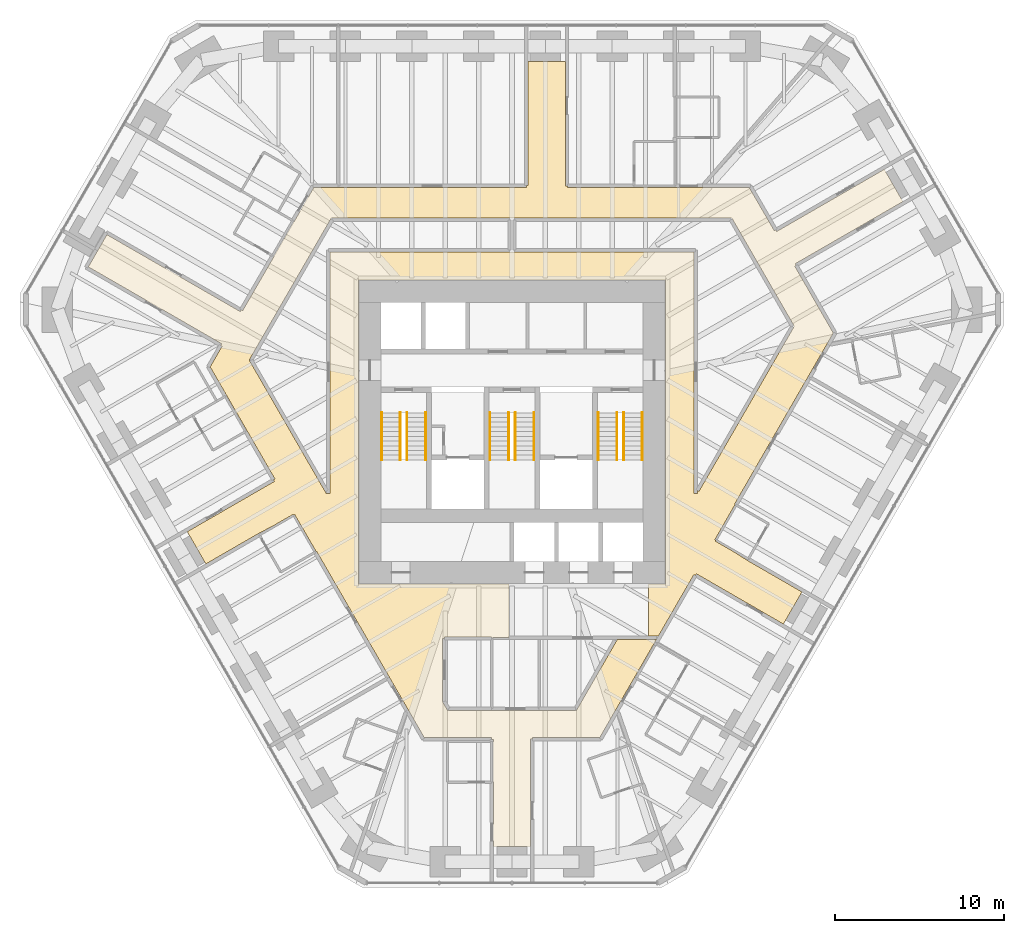
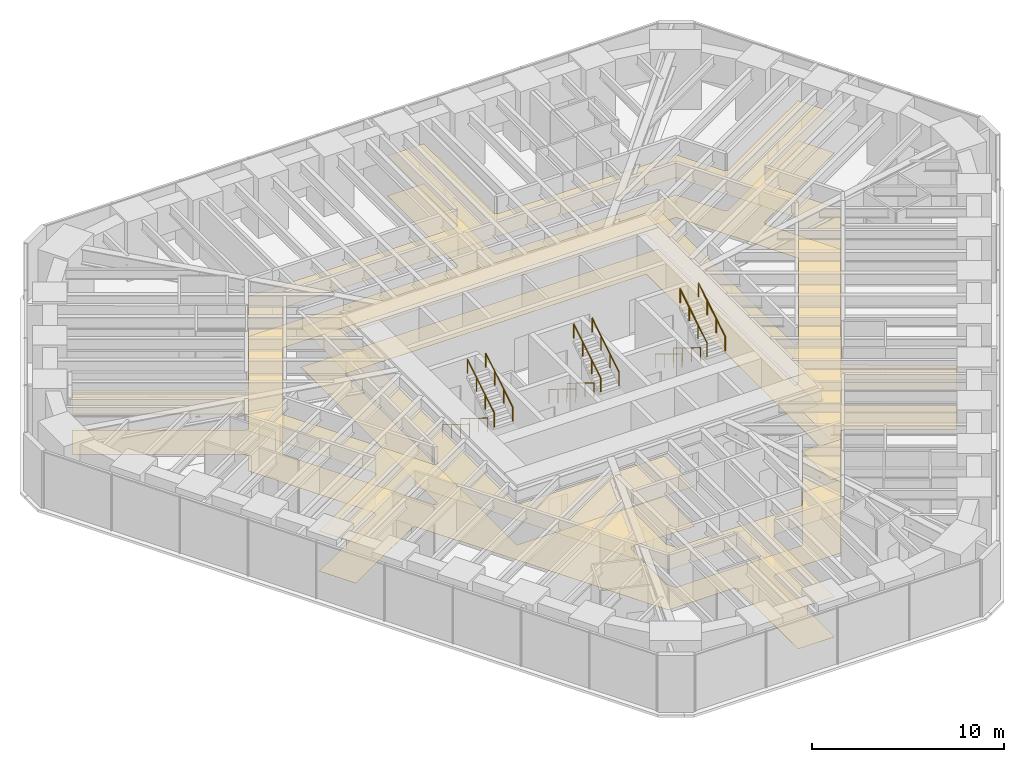
# One storey, part 16 of 16: 12 railings, 2 coverings.
"""IFC4 building model written with IfcOpenShell, lengths in metres."""

from ifc_helpers import new_model, si_unit, direction, frame, origin, origin_2d, place, context, subcontext, project, spatial, polyline, circle, outline, extrude, material, layer, layer_set, type_object, element, save


model = new_model("IFC4")

# Units and contexts
model_context = context("Model", 3, precision=1e-05, world=origin(), true_north=direction((0.0, 1.0)))
body_context = subcontext(model_context, "Body", "Model", "MODEL_VIEW")
ifc_project = project(units=[si_unit("LENGTHUNIT", "METRE"), si_unit("AREAUNIT", "SQUARE_METRE"), si_unit("VOLUMEUNIT", "CUBIC_METRE"), si_unit("PLANEANGLEUNIT", "RADIAN"), si_unit("MASSUNIT", "GRAM", prefix="KILO")], contexts=[model_context])

# Site, building, storey
site_placement = place(None, origin())
site = spatial("IfcSite", under=ifc_project, at=site_placement, CompositionType="ELEMENT")
building_placement = place(site_placement, origin())
building = spatial("IfcBuilding", under=site, at=building_placement, Name="Sandreach Pilgrim Tower", CompositionType="ELEMENT")
storey_placement = place(building_placement, frame((0.0, 0.0, 134.800048828125)))
storey = spatial("IfcBuildingStorey", under=building, at=storey_placement, Name="L33", CompositionType="ELEMENT", Elevation=134.800048828125)

# Coverings
ifc_material_1 = material(Name="Nylon carpet tile on the slab", Category="textile")
ifc_layer_1 = layer(ifc_material_1, 0.008056640625)
ifc_layer_set_1 = layer_set([ifc_layer_1], Name="Carpet tile")
covering_type_1 = type_object("IfcCoveringType", Name="Carpet tile", PredefinedType="FLOORING", material=ifc_layer_set_1)
covering_1_placement = place(storey_placement, origin())
element("IfcCovering", 1, at=covering_1_placement, inside=storey, type_object=covering_type_1, Name="Floor finish 33C Corridor 33", PredefinedType="FLOORING", context=body_context, shape_type="SweptSolid", body=[
    extrude(outline(polyline([(-18.0859375, -9.341796875), (-19.1865234375, -7.435791015625), (-14.0400390625, -4.466552734375), (-14.094970703125, -4.371337890625), (-14.00830078125, -4.3212890625), (-17.83447265625, 2.300048828125), (-17.130859375, 3.516845703125), (-17.216064453125, 3.566162109375), (-17.159912109375, 3.66650390625), (-25.033447265625, 8.20654296875), (-23.933349609375, 10.113525390625), (-16.06005859375, 5.573486328125), (-16.0029296875, 5.66748046875), (-15.91845703125, 5.618408203125), (-11.712158203125, 12.889892578125), (0.85009765625, 12.889892578125), (0.853515625, 13.0048828125), (0.949951171875, 13.0048828125), (0.949951171875, 20.333740234375), (3.14990234375, 20.333740234375), (3.14990234375, 12.989990234375), (3.264892578125, 12.989990234375), (3.264892578125, 12.889892578125), (14.0224609375, 12.889892578125), (15.49853515625, 10.348388671875), (15.58154296875, 10.396728515625), (15.639892578125, 10.303466796875), (21.99365234375, 13.970458984375), (23.09423828125, 12.06396484375), (16.739990234375, 8.396728515625), (16.794677734375, 8.29541015625), (16.710693359375, 8.2470703125), (18.984619140625, 4.2998046875), (13.1533203125, -5.81005859375), (13.181884765625, -5.826416015625), (11.988037109375, -7.909912109375), (12.03857421875, -7.9423828125), (12.010009765625, -7.991943359375), (13.140869140625, -8.645751953125), (13.909912109375, -9.136474609375), (17.13037109375, -10.996826171875), (16.0341796875, -12.8955078125), (10.89013671875, -9.92333984375), (10.83251953125, -10.02294921875), (10.745849609375, -9.972900390625), (8.6513671875, -13.60009765625), (8.050048828125, -13.60009765625), (8.050048828125, -10.52001953125), (9.070068359375, -10.52001953125), (9.070068359375, 7.419921875), (-9.070068359375, 7.419921875), (-9.070068359375, -10.52001953125), (-0.175048828125, -10.52001953125), (-0.175048828125, -13.68994140625), (-1.199951171875, -13.67919921875), (-1.199951171875, -13.64990234375), (-3.989990234375, -13.64990234375), (-3.989990234375, -13.75), (-4.10009765625, -13.75), (-4.10009765625, -17.487060546875), (-3.8076171875, -17.989990234375), (3.8076171875, -17.989990234375), (6.2265625, -13.800048828125), (8.535888671875, -13.800048828125), (5.192138671875, -19.590087890625), (1.215087890625, -19.590087890625), (1.215087890625, -19.68994140625), (1.10009765625, -19.68994140625), (1.10009765625, -26.0322265625), (-1.10009765625, -26.0322265625), (-1.10009765625, -19.699951171875), (-1.199951171875, -19.699951171875), (-1.199951171875, -19.590087890625), (-5.192138671875, -19.590087890625), (-11.54345703125, -8.599853515625), (-11.56884765625, -8.61474609375), (-12.837890625, -6.43017578125), (-12.891357421875, -6.4580078125), (-12.919921875, -6.407958984375), (-14.11767578125, -7.09814453125), (-14.969970703125, -7.54345703125), (-18.0859375, -9.341796875)]), holes=[polyline([(-15.525390625, 2.699951171875), (-10.965576171875, -5.18994140625), (-10.75, -5.18994140625), (-10.75, 9.10009765625), (10.75, 9.10009765625), (10.75, -5.18994140625), (10.949951171875, -5.18994140625), (10.949951171875, -4.99365234375), (11.046630859375, -5.049560546875), (16.675537109375, 4.699951171875), (12.98779296875, 11.090087890625), (-10.677734375, 11.090087890625), (-15.525390625, 2.699951171875)])]), origin(), (0.0, 0.0, 1.0), 0.008056640625),
])
ifc_material_2 = material(Name="Gypsum board suspended ceiling on a steel grid", Category="steel")
ifc_layer_2 = layer(ifc_material_2, 0.012939453125)
ifc_layer_set_2 = layer_set([ifc_layer_2], Name="Gypsum board suspended ceiling")
covering_type_2 = type_object("IfcCoveringType", Name="Gypsum board suspended ceiling", PredefinedType="CEILING", material=ifc_layer_set_2)
covering_2_placement = place(storey_placement, frame((0.0, 0.0, 2.550048828125)))
element("IfcCovering", 2, at=covering_2_placement, inside=storey, type_object=covering_type_2, Name="Ceiling 33C Corridor 33", PredefinedType="CEILING", context=body_context, shape_type="SweptSolid", body=[
    extrude(outline(polyline([(-14.094970703125, -4.371337890625), (-14.00830078125, -4.3212890625), (-17.83447265625, 2.300048828125), (-17.130859375, 3.516845703125), (-17.216064453125, 3.566162109375), (-17.159912109375, 3.66650390625), (-25.033447265625, 8.20654296875), (-23.933349609375, 10.113525390625), (-16.06005859375, 5.573486328125), (-16.0029296875, 5.66748046875), (-15.91845703125, 5.618408203125), (-11.712158203125, 12.889892578125), (0.85009765625, 12.889892578125), (0.853515625, 13.0048828125), (0.949951171875, 13.0048828125), (0.949951171875, 20.333740234375), (3.14990234375, 20.333740234375), (3.14990234375, 12.989990234375), (3.264892578125, 12.989990234375), (3.264892578125, 12.889892578125), (14.0224609375, 12.889892578125), (15.49853515625, 10.348388671875), (15.58154296875, 10.396728515625), (15.639892578125, 10.303466796875), (21.99365234375, 13.970458984375), (23.09423828125, 12.06396484375), (16.739990234375, 8.396728515625), (16.794677734375, 8.29541015625), (16.710693359375, 8.2470703125), (18.984619140625, 4.2998046875), (13.1533203125, -5.81005859375), (13.181884765625, -5.826416015625), (11.988037109375, -7.909912109375), (12.03857421875, -7.9423828125), (12.010009765625, -7.991943359375), (13.140869140625, -8.645751953125), (13.909912109375, -9.136474609375), (17.13037109375, -10.996826171875), (16.0341796875, -12.8955078125), (10.89013671875, -9.92333984375), (10.83251953125, -10.02294921875), (10.745849609375, -9.972900390625), (8.6513671875, -13.60009765625), (8.050048828125, -13.60009765625), (8.050048828125, -10.52001953125), (9.070068359375, -10.52001953125), (9.070068359375, 7.419921875), (-9.070068359375, 7.419921875), (-9.070068359375, -10.52001953125), (-0.175048828125, -10.52001953125), (-0.175048828125, -13.68994140625), (-1.199951171875, -13.67919921875), (-1.199951171875, -13.64990234375), (-3.989990234375, -13.64990234375), (-3.989990234375, -13.75), (-4.10009765625, -13.75), (-4.10009765625, -17.487060546875), (-3.8076171875, -17.989990234375), (3.8076171875, -17.989990234375), (6.2265625, -13.800048828125), (8.535888671875, -13.800048828125), (5.192138671875, -19.590087890625), (1.215087890625, -19.590087890625), (1.215087890625, -19.68994140625), (1.10009765625, -19.68994140625), (1.10009765625, -26.0322265625), (-1.10009765625, -26.0322265625), (-1.10009765625, -19.699951171875), (-1.199951171875, -19.699951171875), (-1.199951171875, -19.590087890625), (-5.192138671875, -19.590087890625), (-11.54345703125, -8.599853515625), (-11.56884765625, -8.61474609375), (-12.837890625, -6.43017578125), (-12.891357421875, -6.4580078125), (-12.919921875, -6.407958984375), (-14.11767578125, -7.09814453125), (-14.969970703125, -7.54345703125), (-18.0859375, -9.341796875), (-19.1865234375, -7.435791015625), (-14.0400390625, -4.466552734375), (-14.094970703125, -4.371337890625)]), holes=[polyline([(-10.965576171875, -5.18994140625), (-10.75, -5.18994140625), (-10.75, 9.10009765625), (10.75, 9.10009765625), (10.75, -5.18994140625), (10.949951171875, -5.18994140625), (10.949951171875, -4.99365234375), (11.046630859375, -5.049560546875), (16.675537109375, 4.699951171875), (12.98779296875, 11.090087890625), (-10.677734375, 11.090087890625), (-15.525390625, 2.699951171875), (-10.965576171875, -5.18994140625)])]), origin(), (0.0, 0.0, 1.0), 0.012939453125),
])

# Railings
ifc_material_3 = material(Name="Stainless steel tube", Category="steel")
railing_type = type_object("IfcRailingType", Name="Stair handrail", PredefinedType="HANDRAIL", material=ifc_material_3)
for number, where, name in (
    (3, (-6.60009765625, -0.39990234375, 0.172607421875), "Handrail ST1 L33 flight 1"),
    (4, (-7.699951171875, -0.39990234375, 0.172607421875), "Handrail ST1 L33 flight 1"),
):
    element("IfcRailing", number, at=place(storey_placement, frame(where)), inside=storey, type_object=railing_type, Name=name, PredefinedType="HANDRAIL", context=body_context, shape_type="SweptSolid", body=[
        extrude(circle(Radius=0.02392578125, at=origin_2d()), frame((0.0, 0.0, 0.8759765625), z_axis=(0.0, -0.851089632645, 0.525020415988), x_axis=(1.0, 0.0, 0.0)), (0.0, 0.0, 1.0), 3.2900390625),
        extrude(circle(Radius=0.02099609375, at=origin_2d()), origin(), (0.0, 0.0, 1.0), 0.851806640625),
        extrude(circle(Radius=0.02099609375, at=origin_2d()), frame((0.0, -0.933349609375, 0.57568359375)), (0.0, 0.0, 1.0), 0.851806640625),
        extrude(circle(Radius=0.02099609375, at=origin_2d()), frame((0.0, -1.86669921875, 1.151611328125)), (0.0, 0.0, 1.0), 0.851806640625),
        extrude(circle(Radius=0.02099609375, at=origin_2d()), frame((0.0, -2.800048828125, 1.727294921875)), (0.0, 0.0, 1.0), 0.851806640625),
    ])
for number, where, name in (
    (5, (-6.199951171875, -3.199951171875, 2.07275390625), "Handrail ST1 L33 flight 2"),
    (6, (-5.10009765625, -3.199951171875, 2.07275390625), "Handrail ST1 L33 flight 2"),
):
    element("IfcRailing", number, at=place(storey_placement, frame(where)), inside=storey, type_object=railing_type, Name=name, PredefinedType="HANDRAIL", context=body_context, shape_type="SweptSolid", body=[
        extrude(circle(Radius=0.02392578125, at=origin_2d()), frame((0.0, 0.0, 0.8759765625), z_axis=(0.0, 0.851089632645, 0.525020415988), x_axis=(-1.0, 0.0, 0.0)), (0.0, 0.0, 1.0), 3.2900390625),
        extrude(circle(Radius=0.02099609375, at=origin_2d()), origin(), (0.0, 0.0, 1.0), 0.851806640625),
        extrude(circle(Radius=0.02099609375, at=origin_2d()), frame((0.0, 0.933349609375, 0.57568359375)), (0.0, 0.0, 1.0), 0.851806640625),
        extrude(circle(Radius=0.02099609375, at=origin_2d()), frame((0.0, 1.86669921875, 1.151611328125)), (0.0, 0.0, 1.0), 0.851806640625),
        extrude(circle(Radius=0.02099609375, at=origin_2d()), frame((0.0, 2.800048828125, 1.727294921875)), (0.0, 0.0, 1.0), 0.851806640625),
    ])
for number, where, name in (
    (7, (-0.199951171875, -0.39990234375, 0.172607421875), "Handrail ST3 L33 flight 1"),
    (8, (-1.300048828125, -0.39990234375, 0.172607421875), "Handrail ST3 L33 flight 1"),
):
    element("IfcRailing", number, at=place(storey_placement, frame(where)), inside=storey, type_object=railing_type, Name=name, PredefinedType="HANDRAIL", context=body_context, shape_type="SweptSolid", body=[
        extrude(circle(Radius=0.02392578125, at=origin_2d()), frame((0.0, 0.0, 0.8759765625), z_axis=(0.0, -0.851089632645, 0.525020415988), x_axis=(1.0, 0.0, 0.0)), (0.0, 0.0, 1.0), 3.2900390625),
        extrude(circle(Radius=0.02099609375, at=origin_2d()), origin(), (0.0, 0.0, 1.0), 0.851806640625),
        extrude(circle(Radius=0.02099609375, at=origin_2d()), frame((0.0, -0.933349609375, 0.57568359375)), (0.0, 0.0, 1.0), 0.851806640625),
        extrude(circle(Radius=0.02099609375, at=origin_2d()), frame((0.0, -1.86669921875, 1.151611328125)), (0.0, 0.0, 1.0), 0.851806640625),
        extrude(circle(Radius=0.02099609375, at=origin_2d()), frame((0.0, -2.800048828125, 1.727294921875)), (0.0, 0.0, 1.0), 0.851806640625),
    ])
for number, where, name in (
    (9, (0.199951171875, -3.199951171875, 2.07275390625), "Handrail ST3 L33 flight 2"),
    (10, (1.300048828125, -3.199951171875, 2.07275390625), "Handrail ST3 L33 flight 2"),
):
    element("IfcRailing", number, at=place(storey_placement, frame(where)), inside=storey, type_object=railing_type, Name=name, PredefinedType="HANDRAIL", context=body_context, shape_type="SweptSolid", body=[
        extrude(circle(Radius=0.02392578125, at=origin_2d()), frame((0.0, 0.0, 0.8759765625), z_axis=(0.0, 0.851089632645, 0.525020415988), x_axis=(-1.0, 0.0, 0.0)), (0.0, 0.0, 1.0), 3.2900390625),
        extrude(circle(Radius=0.02099609375, at=origin_2d()), origin(), (0.0, 0.0, 1.0), 0.851806640625),
        extrude(circle(Radius=0.02099609375, at=origin_2d()), frame((0.0, 0.933349609375, 0.57568359375)), (0.0, 0.0, 1.0), 0.851806640625),
        extrude(circle(Radius=0.02099609375, at=origin_2d()), frame((0.0, 1.86669921875, 1.151611328125)), (0.0, 0.0, 1.0), 0.851806640625),
        extrude(circle(Radius=0.02099609375, at=origin_2d()), frame((0.0, 2.800048828125, 1.727294921875)), (0.0, 0.0, 1.0), 0.851806640625),
    ])
for number, where, name in (
    (11, (6.199951171875, -0.39990234375, 0.172607421875), "Handrail ST2 L33 flight 1"),
    (12, (5.10009765625, -0.39990234375, 0.172607421875), "Handrail ST2 L33 flight 1"),
):
    element("IfcRailing", number, at=place(storey_placement, frame(where)), inside=storey, type_object=railing_type, Name=name, PredefinedType="HANDRAIL", context=body_context, shape_type="SweptSolid", body=[
        extrude(circle(Radius=0.02392578125, at=origin_2d()), frame((0.0, 0.0, 0.8759765625), z_axis=(0.0, -0.851089632645, 0.525020415988), x_axis=(1.0, 0.0, 0.0)), (0.0, 0.0, 1.0), 3.2900390625),
        extrude(circle(Radius=0.02099609375, at=origin_2d()), origin(), (0.0, 0.0, 1.0), 0.851806640625),
        extrude(circle(Radius=0.02099609375, at=origin_2d()), frame((0.0, -0.933349609375, 0.57568359375)), (0.0, 0.0, 1.0), 0.851806640625),
        extrude(circle(Radius=0.02099609375, at=origin_2d()), frame((0.0, -1.86669921875, 1.151611328125)), (0.0, 0.0, 1.0), 0.851806640625),
        extrude(circle(Radius=0.02099609375, at=origin_2d()), frame((0.0, -2.800048828125, 1.727294921875)), (0.0, 0.0, 1.0), 0.851806640625),
    ])
for number, where, name in (
    (13, (6.60009765625, -3.199951171875, 2.07275390625), "Handrail ST2 L33 flight 2"),
    (14, (7.699951171875, -3.199951171875, 2.07275390625), "Handrail ST2 L33 flight 2"),
):
    element("IfcRailing", number, at=place(storey_placement, frame(where)), inside=storey, type_object=railing_type, Name=name, PredefinedType="HANDRAIL", context=body_context, shape_type="SweptSolid", body=[
        extrude(circle(Radius=0.02392578125, at=origin_2d()), frame((0.0, 0.0, 0.8759765625), z_axis=(0.0, 0.851089632645, 0.525020415988), x_axis=(-1.0, 0.0, 0.0)), (0.0, 0.0, 1.0), 3.2900390625),
        extrude(circle(Radius=0.02099609375, at=origin_2d()), origin(), (0.0, 0.0, 1.0), 0.851806640625),
        extrude(circle(Radius=0.02099609375, at=origin_2d()), frame((0.0, 0.933349609375, 0.57568359375)), (0.0, 0.0, 1.0), 0.851806640625),
        extrude(circle(Radius=0.02099609375, at=origin_2d()), frame((0.0, 1.86669921875, 1.151611328125)), (0.0, 0.0, 1.0), 0.851806640625),
        extrude(circle(Radius=0.02099609375, at=origin_2d()), frame((0.0, 2.800048828125, 1.727294921875)), (0.0, 0.0, 1.0), 0.851806640625),
    ])

save(model, "model.ifc")
